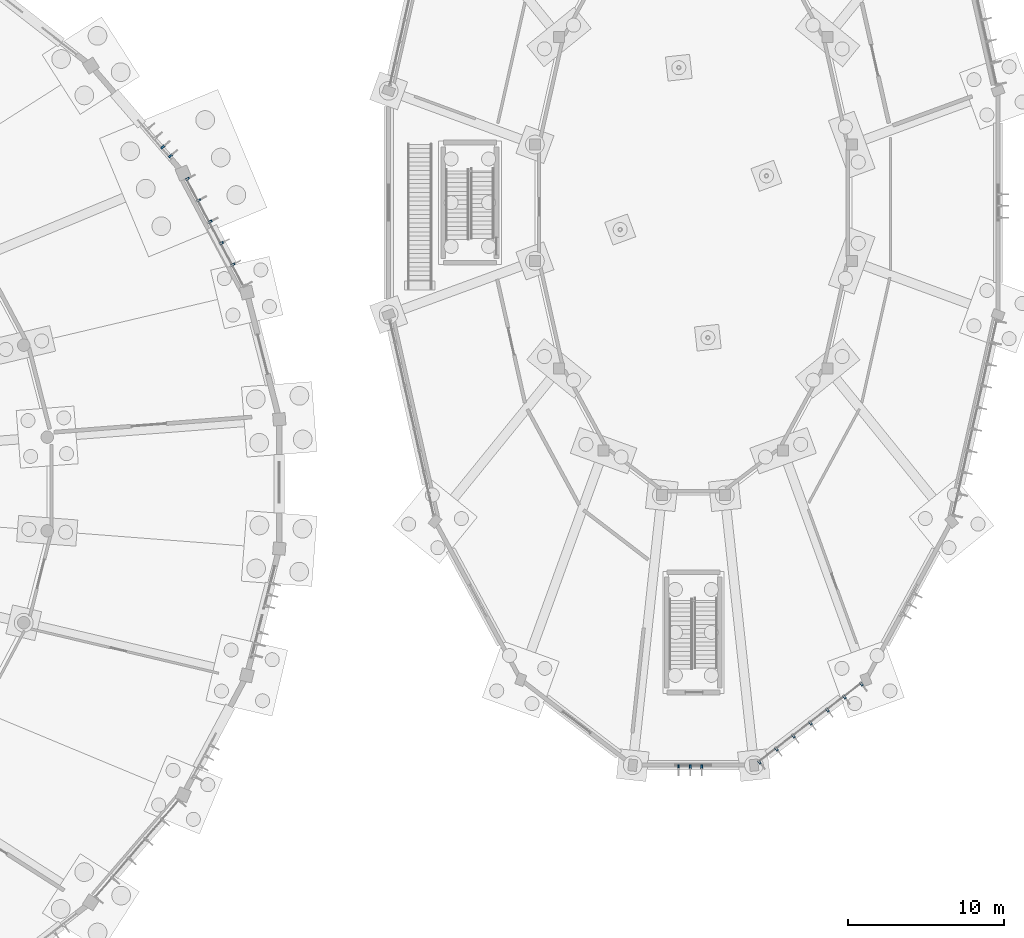
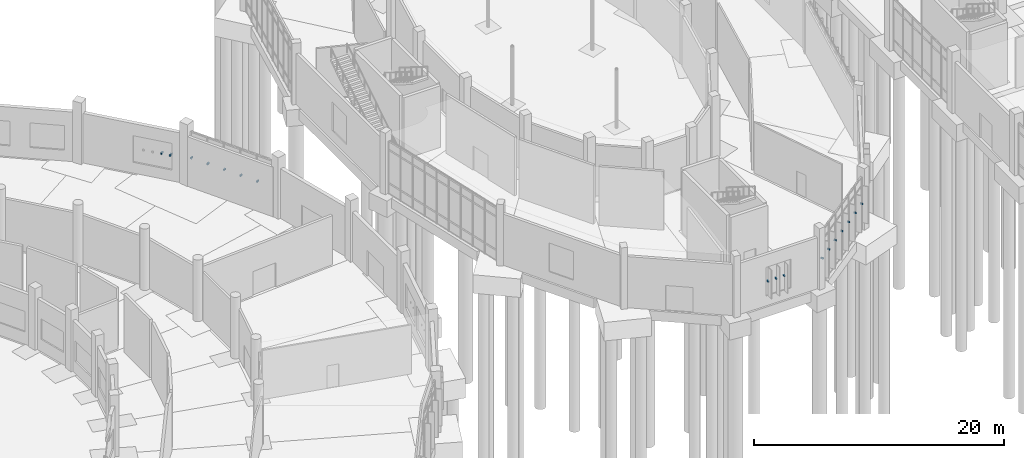
# One storey, part 103 of 140: 17 discrete accessories.
"""IFC4 building model written with IfcOpenShell, lengths in metres."""

from ifc_helpers import new_model, si_unit, direction, frame, origin, origin_2d, place, context, subcontext, project, spatial, rectangle, extrude, material, type_object, element, save


model = new_model("IFC4")

# Units and contexts
model_context = context("Model", 3, precision=1e-05, world=origin(), true_north=direction((0.0, 1.0)))
body_context = subcontext(model_context, "Body", "Model", "MODEL_VIEW")
ifc_project = project(units=[si_unit("LENGTHUNIT", "METRE"), si_unit("AREAUNIT", "SQUARE_METRE"), si_unit("VOLUMEUNIT", "CUBIC_METRE"), si_unit("PLANEANGLEUNIT", "RADIAN"), si_unit("MASSUNIT", "GRAM", prefix="KILO")], contexts=[model_context])

# Site, building, storey
site_placement = place(None, origin())
site = spatial("IfcSite", under=ifc_project, at=site_placement, CompositionType="ELEMENT")
building_placement = place(site_placement, origin())
building = spatial("IfcBuilding", under=site, at=building_placement, Name="Corvandel Quay Wholesale Market", CompositionType="ELEMENT")
storey_placement = place(building_placement, origin())
storey = spatial("IfcBuildingStorey", under=building, at=storey_placement, Name="L00", CompositionType="ELEMENT", Elevation=0.0)

# Discrete accessories
ifc_material = material(Name="Austenitic stainless steel Grade 316", Category="steel")
discrete_accessory_type = type_object("IfcDiscreteAccessoryType", Name="Stainless Solar Fin Fixing Bracket BRK01", PredefinedType="USERDEFINED", material=ifc_material)
for number, where, z_axis, x_axis, name in (
    (1, (165.036865234375, 56.046142578125, 2.5048828125), (0.0, 0.0, 1.0), (0.882619624736, 0.470087862033, 0.0), "Fin Bracket 0002"),
    (2, (164.307373046875, 57.415771484375, 2.5048828125), (0.0, 0.0, 1.0), (0.882619624736, 0.470087862033, 0.0), "Fin Bracket 0003"),
    (3, (163.57763671875, 58.78564453125, 2.5048828125), (0.0, 0.0, 1.0), (0.882619624736, 0.470087862033, 0.0), "Fin Bracket 0004"),
    (4, (162.84814453125, 60.1552734375, 2.5048828125), (0.0, 0.0, 1.0), (0.882619624736, 0.470087862033, 0.0), "Fin Bracket 0005"),
    (5, (162.118408203125, 61.52490234375, 2.5048828125), (0.0, 0.0, 1.0), (0.882619624736, 0.470087862033, 0.0), "Fin Bracket 0006"),
):
    element("IfcDiscreteAccessory", number, at=place(storey_placement, frame(where, z_axis=z_axis, x_axis=x_axis)), inside=storey, type_object=discrete_accessory_type, Name=name, ObjectType="BRACKET", PredefinedType="USERDEFINED", context=body_context, shape_type="SweptSolid", body=[
        extrude(rectangle(XDim=0.239990234375, YDim=0.1201171875, at=origin_2d()), origin(), (0.0, 0.0, 1.0), 0.139892578125),
    ])
for number, where, z_axis, x_axis, name in (
    (6, (161.037109375, 62.998291015625, 2.2802734375), (0.0, 0.0, 1.0), (0.758589401976, 0.651568967347, 0.0), "Fin Bracket 0015"),
    (7, (160.548583984375, 63.5673828125, 2.2802734375), (0.0, 0.0, 1.0), (0.758589401976, 0.651568967347, 0.0), "Fin Bracket 0016"),
    (8, (193.550048828125, 23.89990234375, 2.2802734375), (0.0, 0.0, 1.0), (0.0, 1.0, 0.0), "Fin Bracket 0628"),
    (9, (194.300048828125, 23.89990234375, 2.2802734375), (0.0, 0.0, 1.0), (0.0, 1.0, 0.0), "Fin Bracket 0629"),
    (10, (195.050048828125, 23.89990234375, 2.2802734375), (0.0, 0.0, 1.0), (0.0, 1.0, 0.0), "Fin Bracket 0630"),
):
    element("IfcDiscreteAccessory", number, at=place(storey_placement, frame(where, z_axis=z_axis, x_axis=x_axis)), inside=storey, type_object=discrete_accessory_type, Name=name, ObjectType="BRACKET", PredefinedType="USERDEFINED", context=body_context, shape_type="SweptSolid", body=[
        extrude(rectangle(XDim=0.280029296875, YDim=0.1201171875, at=origin_2d()), origin(), (0.0, 0.0, 1.0), 0.139892578125),
    ])
for number, where, z_axis, x_axis, name in (
    (11, (198.733154296875, 24.1953125, 2.5048828125), (0.0, 0.0, 1.0), (-0.607514481979, 0.794308601354, 0.0), "Fin Bracket 0639"),
    (12, (199.82177734375, 25.02783203125, 2.5048828125), (0.0, 0.0, 1.0), (-0.607514481979, 0.794308601354, 0.0), "Fin Bracket 0640"),
    (13, (200.910400390625, 25.8603515625, 2.5048828125), (0.0, 0.0, 1.0), (-0.607514481979, 0.794308601354, 0.0), "Fin Bracket 0641"),
    (14, (201.998779296875, 26.69287109375, 2.5048828125), (0.0, 0.0, 1.0), (-0.607514481979, 0.794308601354, 0.0), "Fin Bracket 0642"),
    (15, (203.08740234375, 27.525390625, 2.5048828125), (0.0, 0.0, 1.0), (-0.607514481979, 0.794308601354, 0.0), "Fin Bracket 0643"),
    (16, (204.176025390625, 28.35791015625, 2.5048828125), (0.0, 0.0, 1.0), (-0.607514481979, 0.794308601354, 0.0), "Fin Bracket 0644"),
    (17, (205.2646484375, 29.1904296875, 2.5048828125), (0.0, 0.0, 1.0), (-0.607514481979, 0.794308601354, 0.0), "Fin Bracket 0645"),
):
    element("IfcDiscreteAccessory", number, at=place(storey_placement, frame(where, z_axis=z_axis, x_axis=x_axis)), inside=storey, type_object=discrete_accessory_type, Name=name, ObjectType="BRACKET", PredefinedType="USERDEFINED", context=body_context, shape_type="SweptSolid", body=[
        extrude(rectangle(XDim=0.239990234375, YDim=0.1201171875, at=origin_2d()), origin(), (0.0, 0.0, 1.0), 0.139892578125),
    ])

save(model, "model.ifc")
